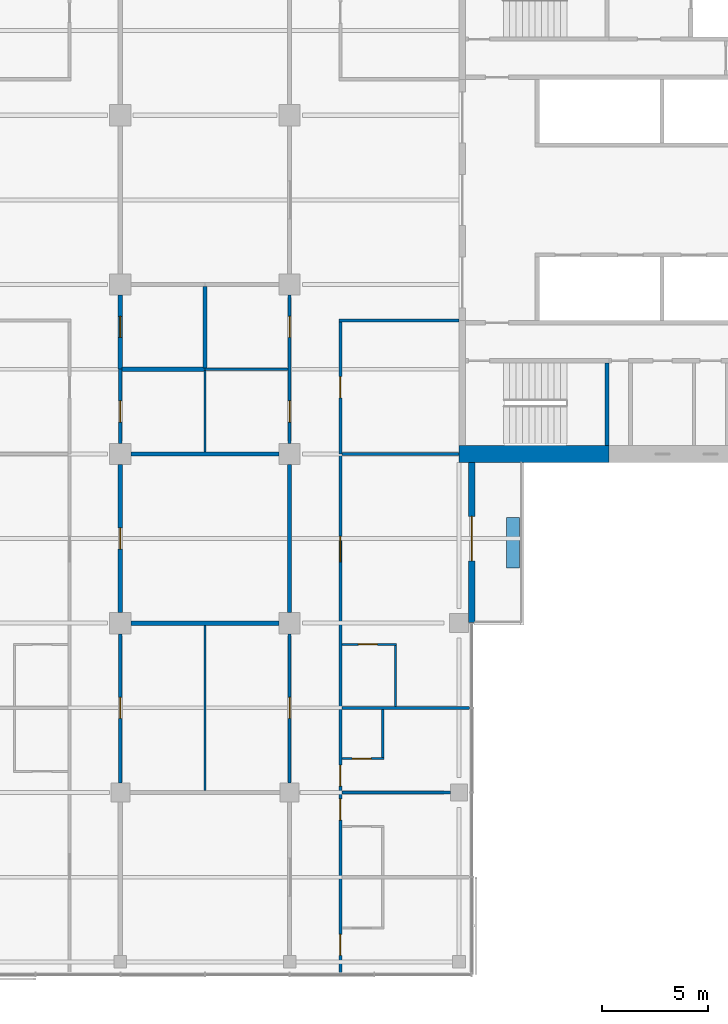
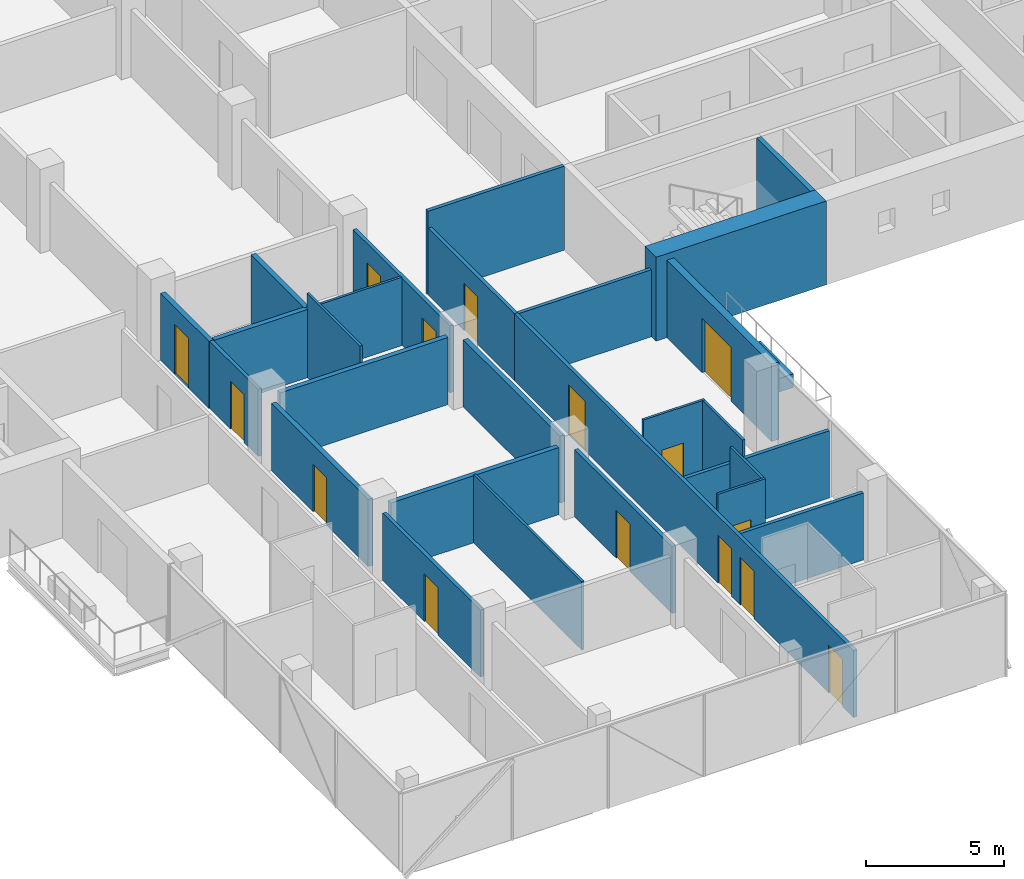
# One storey, part 15 of 25: 28 walls, 15 doors, 15 openings.
"""IFC4 building model written with IfcOpenShell, lengths in metres."""

from ifc_helpers import new_model, si_unit, direction, frame, frame_2d, origin, place, context, subcontext, project, spatial, rectangle, extrude, material, layer, layer_set, constituent, constituent_set, type_object, element, fill, save


model = new_model("IFC4")

# Units and contexts
model_context = context("Model", 3, precision=1e-05, world=origin(), true_north=direction((0.0, 1.0)))
body_context = subcontext(model_context, "Body", "Model", "MODEL_VIEW")
ifc_project = project(units=[si_unit("LENGTHUNIT", "METRE"), si_unit("AREAUNIT", "SQUARE_METRE"), si_unit("VOLUMEUNIT", "CUBIC_METRE"), si_unit("PLANEANGLEUNIT", "RADIAN"), si_unit("MASSUNIT", "GRAM", prefix="KILO")], contexts=[model_context])

# Site, building, storey
site_placement = place(None, origin())
site = spatial("IfcSite", under=ifc_project, at=site_placement, CompositionType="ELEMENT")
building_placement = place(site_placement, origin())
building = spatial("IfcBuilding", under=site, at=building_placement, Name="Crosswind Convention Tower", CompositionType="ELEMENT")
storey_placement = place(building_placement, frame((0.0, 0.0, 97.89990234375)))
storey = spatial("IfcBuildingStorey", under=building, at=storey_placement, Name="L19", CompositionType="ELEMENT", Elevation=97.89990234375)

# Wall
ifc_material_1 = material(Name="Concrete blockwork", Category="masonry")
ifc_layer_1 = layer(ifc_material_1, 0.199951171875)
ifc_layer_set_1 = layer_set([ifc_layer_1], Name="COMPARTMENT WALL 200")
wall_type_1 = type_object("IfcWallType", Name="COMPARTMENT WALL 200", PredefinedType="SOLIDWALL", material=ifc_layer_set_1)
wall_1_placement = place(storey_placement, frame((121.074951171875, 92.0, 0.0), z_axis=(0.0, 0.0, 1.0), x_axis=(1.0, 0.0, 0.0)))
element("IfcWall", 1, at=wall_1_placement, inside=storey, type_object=wall_type_1, Name="Compartment Wall 16", PredefinedType="SOLIDWALL", context=body_context, shape_type="SweptSolid", body=[
    extrude(rectangle(XDim=3.925048828125, YDim=0.199951171875, at=frame_2d((1.96240234375, 0.0))), origin(), (0.0, 0.0, 1.0), 3.013671875),
])

# Wall, opening, door
wall_2_placement = place(storey_placement, frame((121.0, 92.0, 0.0), z_axis=(0.0, 0.0, 1.0), x_axis=(0.0, 1.0, 0.0)))
wall_2 = element("IfcWall", 2, at=wall_2_placement, inside=storey, type_object=wall_type_1, Name="Compartment Wall 70", PredefinedType="SOLIDWALL", context=body_context, shape_type="SweptSolid", body=[
    extrude(rectangle(XDim=3.5, YDim=0.199951171875, at=frame_2d((1.75, 0.0))), origin(), (0.0, 0.0, 1.0), 2.9599609375),
])
opening_1_placement = place(wall_2_placement, frame((1.5, 0.0, 0.0)))
opening_1 = element("IfcOpeningElement", 3, at=opening_1_placement, cuts=wall_2, Name="Opening 19.048", PredefinedType="OPENING", context=body_context, shape_type="SweptSolid", body=[
    extrude(rectangle(XDim=1.0, YDim=2.199951171875, at=frame_2d((0.5, 1.10009765625))), frame((0.0, 0.10986328125, 0.0), z_axis=(0.0, -1.0, 0.0), x_axis=(1.0, 0.0, 0.0)), (0.0, 0.0, 1.0), 0.219970703125),
])
ifc_material_2 = material(Name="Steel fire door", Category="steel")
door_type_1 = type_object("IfcDoorType", Name="PLANT ROOM DOOR 1000X2200", OperationType="NOTDEFINED", PredefinedType="DOOR", material=ifc_material_2)
door_1_placement = place(opening_1_placement, frame((1.0, 0.0, 0.0), z_axis=(0.0, 0.0, 1.0), x_axis=(-1.0, 0.0, 0.0)))
door_1 = element("IfcDoor", 4, at=door_1_placement, inside=storey, type_object=door_type_1, Name="Door 19.048", ObjectType="D6", OperationType="SINGLE_SWING_LEFT", OverallHeight=2.199951171875, OverallWidth=1.0, PredefinedType="DOOR", context=body_context, shape_type="SweptSolid", body=[
    extrude(rectangle(XDim=1.0, YDim=2.199951171875, at=frame_2d((0.5, 1.10009765625))), frame((0.0, 0.02490234375, 0.0), z_axis=(0.0, -1.0, 0.0), x_axis=(1.0, 0.0, 0.0)), (0.0, 0.0, 1.0), 0.050048828125),
])
fill(opening_1, door_1)

# Walls
wall_3_placement = place(storey_placement, frame((125.0, 92.050048828125, 0.0), z_axis=(0.0, 0.0, 1.0), x_axis=(0.0, 1.0, 0.0)))
element("IfcWall", 5, at=wall_3_placement, inside=storey, type_object=wall_type_1, Name="Compartment Wall 78", PredefinedType="SOLIDWALL", context=body_context, shape_type="SweptSolid", body=[
    extrude(rectangle(XDim=3.849853515625, YDim=0.199951171875, at=frame_2d((1.9248046875, 0.0))), origin(), (0.0, 0.0, 1.0), 3.013671875),
])
ifc_material_3 = material(Name="Plasterboard partition", Category="gypsum")
ifc_layer_2 = layer(ifc_material_3, 0.14990234375)
ifc_layer_set_2 = layer_set([ifc_layer_2], Name="CORRIDOR WALL 150")
wall_type_2 = type_object("IfcWallType", Name="CORRIDOR WALL 150", PredefinedType="PARTITIONING", material=ifc_layer_set_2)
wall_4_placement = place(storey_placement, frame((131.324951171875, 94.300048828125, 0.0), z_axis=(0.0, 0.0, 1.0), x_axis=(1.0, 0.0, 0.0)))
element("IfcWall", 6, at=wall_4_placement, inside=storey, type_object=wall_type_2, Name="Corridor Wall 21", PredefinedType="PARTITIONING", context=body_context, shape_type="SweptSolid", body=[
    extrude(rectangle(XDim=5.675048828125, YDim=0.14990234375, at=frame_2d((2.83740234375, 0.0))), origin(), (0.0, 0.0, 1.0), 3.7001953125),
])

# Wall, opening, door
wall_5_placement = place(storey_placement, frame((121.0, 72.449951171875, 0.0), z_axis=(0.0, 0.0, 1.0), x_axis=(0.0, 1.0, 0.0)))
wall_5 = element("IfcWall", 7, at=wall_5_placement, inside=storey, type_object=wall_type_2, Name="Corridor Wall 67", PredefinedType="PARTITIONING", context=body_context, shape_type="SweptSolid", body=[
    extrude(rectangle(XDim=7.050048828125, YDim=0.14990234375, at=frame_2d((3.52490234375, 0.0))), origin(), (0.0, 0.0, 1.0), 2.9599609375),
])
opening_2_placement = place(wall_5_placement, frame((3.050048828125, 0.0, 0.0)))
opening_2 = element("IfcOpeningElement", 8, at=opening_2_placement, cuts=wall_5, Name="Opening 19.044", PredefinedType="OPENING", context=body_context, shape_type="SweptSolid", body=[
    extrude(rectangle(XDim=1.0, YDim=2.10009765625, at=frame_2d((0.5, 1.050048828125))), frame((0.0, 0.0849609375, 0.0), z_axis=(0.0, -1.0, 0.0), x_axis=(1.0, 0.0, 0.0)), (0.0, 0.0, 1.0), 0.169921875),
])
ifc_material_4 = material(Name="Timber fire door", Category="wood")
door_type_2 = type_object("IfcDoorType", Name="SERVICE ROOM DOOR 1000X2100", OperationType="NOTDEFINED", PredefinedType="DOOR", material=ifc_material_4)
door_2_placement = place(opening_2_placement, frame((1.0, 0.0, 0.0), z_axis=(0.0, 0.0, 1.0), x_axis=(-1.0, 0.0, 0.0)))
door_2 = element("IfcDoor", 9, at=door_2_placement, inside=storey, type_object=door_type_2, Name="Door 19.044", ObjectType="D3", OperationType="SINGLE_SWING_LEFT", OverallHeight=2.10009765625, OverallWidth=1.0, PredefinedType="DOOR", context=body_context, shape_type="SweptSolid", body=[
    extrude(rectangle(XDim=1.0, YDim=2.10009765625, at=frame_2d((0.5, 1.050048828125))), frame((0.0, 0.02490234375, 0.0), z_axis=(0.0, -1.0, 0.0), x_axis=(1.0, 0.0, 0.0)), (0.0, 0.0, 1.0), 0.050048828125),
])
fill(opening_2, door_2)

wall_6_placement = place(storey_placement, frame((121.0, 88.5, 0.0), z_axis=(0.0, 0.0, 1.0), x_axis=(0.0, 1.0, 0.0)))
wall_6 = element("IfcWall", 10, at=wall_6_placement, inside=storey, type_object=wall_type_2, Name="Corridor Wall 69", PredefinedType="PARTITIONING", context=body_context, shape_type="SweptSolid", body=[
    extrude(rectangle(XDim=3.5, YDim=0.14990234375, at=frame_2d((1.75, 0.0))), origin(), (0.0, 0.0, 1.0), 2.9599609375),
])
opening_3_placement = place(wall_6_placement, frame((1.0, 0.0, 0.0)))
opening_3 = element("IfcOpeningElement", 11, at=opening_3_placement, cuts=wall_6, Name="Opening 19.047", PredefinedType="OPENING", context=body_context, shape_type="SweptSolid", body=[
    extrude(rectangle(XDim=1.0, YDim=2.10009765625, at=frame_2d((0.5, 1.050048828125))), frame((0.0, 0.0849609375, 0.0), z_axis=(0.0, -1.0, 0.0), x_axis=(1.0, 0.0, 0.0)), (0.0, 0.0, 1.0), 0.169921875),
])
door_3_placement = place(opening_3_placement, frame((1.0, 0.0, 0.0), z_axis=(0.0, 0.0, 1.0), x_axis=(-1.0, 0.0, 0.0)))
door_3 = element("IfcDoor", 12, at=door_3_placement, inside=storey, type_object=door_type_2, Name="Door 19.047", ObjectType="D3", OperationType="SINGLE_SWING_RIGHT", OverallHeight=2.10009765625, OverallWidth=1.0, PredefinedType="DOOR", context=body_context, shape_type="SweptSolid", body=[
    extrude(rectangle(XDim=1.0, YDim=2.10009765625, at=frame_2d((0.5, 1.050048828125))), frame((0.0, 0.02490234375, 0.0), z_axis=(0.0, -1.0, 0.0), x_axis=(1.0, 0.0, 0.0)), (0.0, 0.0, 1.0), 0.050048828125),
])
fill(opening_3, door_3)

wall_7_placement = place(storey_placement, frame((129.0, 72.449951171875, 0.0), z_axis=(0.0, 0.0, 1.0), x_axis=(0.0, 1.0, 0.0)))
wall_7 = element("IfcWall", 13, at=wall_7_placement, inside=storey, type_object=wall_type_2, Name="Corridor Wall 81", PredefinedType="PARTITIONING", context=body_context, shape_type="SweptSolid", body=[
    extrude(rectangle(XDim=7.050048828125, YDim=0.14990234375, at=frame_2d((3.52490234375, 0.0))), origin(), (0.0, 0.0, 1.0), 2.9599609375),
])
opening_4_placement = place(wall_7_placement, frame((3.050048828125, 0.0, 0.0)))
opening_4 = element("IfcOpeningElement", 14, at=opening_4_placement, cuts=wall_7, Name="Opening 19.045", PredefinedType="OPENING", context=body_context, shape_type="SweptSolid", body=[
    extrude(rectangle(XDim=1.0, YDim=2.10009765625, at=frame_2d((0.5, 1.050048828125))), frame((0.0, 0.0849609375, 0.0), z_axis=(0.0, -1.0, 0.0), x_axis=(1.0, 0.0, 0.0)), (0.0, 0.0, 1.0), 0.169921875),
])
door_4_placement = place(opening_4_placement, origin())
door_4 = element("IfcDoor", 15, at=door_4_placement, inside=storey, type_object=door_type_2, Name="Door 19.045", ObjectType="D3", OperationType="SINGLE_SWING_RIGHT", OverallHeight=2.10009765625, OverallWidth=1.0, PredefinedType="DOOR", context=body_context, shape_type="SweptSolid", body=[
    extrude(rectangle(XDim=1.0, YDim=2.10009765625, at=frame_2d((0.5, 1.050048828125))), frame((0.0, 0.02490234375, 0.0), z_axis=(0.0, -1.0, 0.0), x_axis=(1.0, 0.0, 0.0)), (0.0, 0.0, 1.0), 0.050048828125),
])
fill(opening_4, door_4)

# Wall, openings, doors
wall_8_placement = place(storey_placement, frame((129.0, 88.5, 0.0), z_axis=(0.0, 0.0, 1.0), x_axis=(0.0, 1.0, 0.0)))
wall_8 = element("IfcWall", 16, at=wall_8_placement, inside=storey, type_object=wall_type_2, Name="Corridor Wall 83", PredefinedType="PARTITIONING", context=body_context, shape_type="SweptSolid", body=[
    extrude(rectangle(XDim=7.0, YDim=0.14990234375, at=frame_2d((3.5, 0.0))), origin(), (0.0, 0.0, 1.0), 2.9599609375),
])
opening_5_placement = place(wall_8_placement, frame((1.0, 0.0, 0.0)))
opening_5 = element("IfcOpeningElement", 17, at=opening_5_placement, cuts=wall_8, Name="Opening 19.049", PredefinedType="OPENING", context=body_context, shape_type="SweptSolid", body=[
    extrude(rectangle(XDim=1.0, YDim=2.10009765625, at=frame_2d((0.5, 1.050048828125))), frame((0.0, 0.0849609375, 0.0), z_axis=(0.0, -1.0, 0.0), x_axis=(1.0, 0.0, 0.0)), (0.0, 0.0, 1.0), 0.169921875),
])
opening_6_placement = place(wall_8_placement, frame((5.0, 0.0, 0.0)))
opening_6 = element("IfcOpeningElement", 18, at=opening_6_placement, cuts=wall_8, Name="Opening 19.050", PredefinedType="OPENING", context=body_context, shape_type="SweptSolid", body=[
    extrude(rectangle(XDim=1.0, YDim=2.10009765625, at=frame_2d((0.5, 1.050048828125))), frame((0.0, 0.0849609375, 0.0), z_axis=(0.0, -1.0, 0.0), x_axis=(1.0, 0.0, 0.0)), (0.0, 0.0, 1.0), 0.169921875),
])
door_5_placement = place(opening_5_placement, origin())
door_5 = element("IfcDoor", 19, at=door_5_placement, inside=storey, type_object=door_type_2, Name="Door 19.049", ObjectType="D3", OperationType="SINGLE_SWING_LEFT", OverallHeight=2.10009765625, OverallWidth=1.0, PredefinedType="DOOR", context=body_context, shape_type="SweptSolid", body=[
    extrude(rectangle(XDim=1.0, YDim=2.10009765625, at=frame_2d((0.5, 1.050048828125))), frame((0.0, 0.02490234375, 0.0), z_axis=(0.0, -1.0, 0.0), x_axis=(1.0, 0.0, 0.0)), (0.0, 0.0, 1.0), 0.050048828125),
])
fill(opening_5, door_5)
door_6_placement = place(opening_6_placement, origin())
door_6 = element("IfcDoor", 20, at=door_6_placement, inside=storey, type_object=door_type_2, Name="Door 19.050", ObjectType="D3", OperationType="SINGLE_SWING_RIGHT", OverallHeight=2.10009765625, OverallWidth=1.0, PredefinedType="DOOR", context=body_context, shape_type="SweptSolid", body=[
    extrude(rectangle(XDim=1.0, YDim=2.10009765625, at=frame_2d((0.5, 1.050048828125))), frame((0.0, 0.02490234375, 0.0), z_axis=(0.0, -1.0, 0.0), x_axis=(1.0, 0.0, 0.0)), (0.0, 0.0, 1.0), 0.050048828125),
])
fill(opening_6, door_6)

# Wall, opening, door
wall_9_placement = place(storey_placement, frame((131.39990234375, 88.0, 0.0), z_axis=(0.0, 0.0, 1.0), x_axis=(0.0, 1.0, 0.0)))
wall_9 = element("IfcWall", 21, at=wall_9_placement, inside=storey, type_object=wall_type_2, Name="Corridor Wall 90", PredefinedType="PARTITIONING", context=body_context, shape_type="SweptSolid", body=[
    extrude(rectangle(XDim=6.22509765625, YDim=0.14990234375, at=frame_2d((3.112548828125, 0.0))), origin(), (0.0, 0.0, 1.0), 2.95654296875),
])
opening_7_placement = place(wall_9_placement, frame((2.64990234375, 0.0, 0.0)))
opening_7 = element("IfcOpeningElement", 22, at=opening_7_placement, cuts=wall_9, Name="Opening 19.002", PredefinedType="OPENING", context=body_context, shape_type="SweptSolid", body=[
    extrude(rectangle(XDim=1.0, YDim=2.10009765625, at=frame_2d((0.5, 1.050048828125))), frame((0.0, 0.0849609375, 0.0), z_axis=(0.0, -1.0, 0.0), x_axis=(1.0, 0.0, 0.0)), (0.0, 0.0, 1.0), 0.169921875),
])
door_7_placement = place(opening_7_placement, frame((1.0, 0.0, 0.0), z_axis=(0.0, 0.0, 1.0), x_axis=(-1.0, 0.0, 0.0)))
door_7 = element("IfcDoor", 23, at=door_7_placement, inside=storey, type_object=door_type_2, Name="Door 19.002", ObjectType="D3", OperationType="SINGLE_SWING_LEFT", OverallHeight=2.10009765625, OverallWidth=1.0, PredefinedType="DOOR", context=body_context, shape_type="SweptSolid", body=[
    extrude(rectangle(XDim=1.0, YDim=2.10009765625, at=frame_2d((0.5, 1.050048828125))), frame((0.0, 0.02490234375, 0.0), z_axis=(0.0, -1.0, 0.0), x_axis=(1.0, 0.0, 0.0)), (0.0, 0.0, 1.0), 0.050048828125),
])
fill(opening_7, door_7)

# Walls
ifc_material_5 = material(Name="Concrete C50/60", Category="concrete")
ifc_layer_3 = layer(ifc_material_5, 0.199951171875)
ifc_layer_set_3 = layer_set([ifc_layer_3], Name="Concrete C50/60")
wall_type_3 = type_object("IfcWallType", Name="Concrete shaft and stair wall 200", PredefinedType="SHEAR", material=ifc_layer_set_3)
wall_10_placement = place(storey_placement, frame((144.0, 88.39990234375, 0.0), z_axis=(0.0, 0.0, 1.0), x_axis=(0.0, 1.0, 0.0)))
element("IfcWall", 24, at=wall_10_placement, inside=storey, type_object=wall_type_3, Name="Wall MSE E L19", PredefinedType="SHEAR", context=body_context, shape_type="SweptSolid", body=[
    extrude(rectangle(XDim=3.900146484375, YDim=0.199951171875, at=frame_2d((1.9501953125, 0.0))), origin(), (0.0, 0.0, 1.0), 3.7001953125),
])
ifc_material_6 = material(Name="Acoustic plasterboard partition", Category="gypsum")
ifc_layer_4 = layer(ifc_material_6, 0.14990234375)
ifc_layer_set_4 = layer_set([ifc_layer_4], Name="GUEST ROOM WALL 150")
wall_type_4 = type_object("IfcWallType", Name="GUEST ROOM WALL 150", PredefinedType="PARTITIONING", material=ifc_layer_set_4)
wall_11_placement = place(storey_placement, frame((131.47509765625, 72.0, 0.0), z_axis=(0.0, 0.0, 1.0), x_axis=(1.0, 0.0, 0.0)))
element("IfcWall", 25, at=wall_11_placement, inside=storey, type_object=wall_type_4, Name="Guest Room Wall 5", PredefinedType="PARTITIONING", context=body_context, shape_type="SweptSolid", body=[
    extrude(rectangle(XDim=5.125, YDim=0.14990234375, at=frame_2d((2.5625, 0.0))), origin(), (0.0, 0.0, 1.0), 2.9599609375),
])
wall_12_placement = place(storey_placement, frame((131.47509765625, 76.0, 0.0), z_axis=(0.0, 0.0, 1.0), x_axis=(1.0, 0.0, 0.0)))
element("IfcWall", 26, at=wall_12_placement, inside=storey, type_object=wall_type_4, Name="Guest Room Wall 9", PredefinedType="PARTITIONING", context=body_context, shape_type="SweptSolid", body=[
    extrude(rectangle(XDim=6.02490234375, YDim=0.14990234375, at=frame_2d((3.012451171875, 0.0))), origin(), (0.0, 0.0, 1.0), 2.962890625),
])
wall_13_placement = place(storey_placement, frame((131.47509765625, 88.0, 0.0), z_axis=(0.0, 0.0, 1.0), x_axis=(1.0, 0.0, 0.0)))
element("IfcWall", 27, at=wall_13_placement, inside=storey, type_object=wall_type_4, Name="Guest Room Wall 15", PredefinedType="PARTITIONING", context=body_context, shape_type="SweptSolid", body=[
    extrude(rectangle(XDim=5.52490234375, YDim=0.14990234375, at=frame_2d((2.762451171875, 0.0))), origin(), (0.0, 0.0, 1.0), 2.95654296875),
])

# Wall, openings, doors
wall_14_placement = place(storey_placement, frame((131.39990234375, 63.5, 0.0), z_axis=(0.0, 0.0, 1.0), x_axis=(0.0, 1.0, 0.0)))
wall_14 = element("IfcWall", 28, at=wall_14_placement, inside=storey, type_object=wall_type_4, Name="Guest Room Wall 89", PredefinedType="PARTITIONING", context=body_context, shape_type="SweptSolid", body=[
    extrude(rectangle(XDim=24.5, YDim=0.14990234375, at=frame_2d((12.25, 0.0))), origin(), (0.0, 0.0, 1.0), 2.95654296875),
])
opening_8_placement = place(wall_14_placement, frame((19.39990234375, 0.0, 0.0)))
opening_8 = element("IfcOpeningElement", 29, at=opening_8_placement, cuts=wall_14, Name="Opening 19.015", PredefinedType="OPENING", context=body_context, shape_type="SweptSolid", body=[
    extrude(rectangle(XDim=1.199951171875, YDim=2.199951171875, at=frame_2d((0.60009765625, 1.10009765625))), frame((0.0, 0.0849609375, 0.0), z_axis=(0.0, -1.0, 0.0), x_axis=(1.0, 0.0, 0.0)), (0.0, 0.0, 1.0), 0.169921875),
])
opening_9_placement = place(wall_14_placement, frame((8.800048828125, 0.0, 0.0)))
opening_9 = element("IfcOpeningElement", 30, at=opening_9_placement, cuts=wall_14, Name="Opening 19.017", PredefinedType="OPENING", context=body_context, shape_type="SweptSolid", body=[
    extrude(rectangle(XDim=1.0, YDim=2.10009765625, at=frame_2d((0.5, 1.050048828125))), frame((0.0, 0.0849609375, 0.0), z_axis=(0.0, -1.0, 0.0), x_axis=(1.0, 0.0, 0.0)), (0.0, 0.0, 1.0), 0.169921875),
])
opening_10_placement = place(wall_14_placement, frame((7.199951171875, 0.0, 0.0)))
opening_10 = element("IfcOpeningElement", 31, at=opening_10_placement, cuts=wall_14, Name="Opening 19.019", PredefinedType="OPENING", context=body_context, shape_type="SweptSolid", body=[
    extrude(rectangle(XDim=1.0, YDim=2.10009765625, at=frame_2d((0.5, 1.050048828125))), frame((0.0, 0.0849609375, 0.0), z_axis=(0.0, -1.0, 0.0), x_axis=(1.0, 0.0, 0.0)), (0.0, 0.0, 1.0), 0.169921875),
])
opening_11_placement = place(wall_14_placement, frame((0.800048828125, 0.0, 0.0)))
opening_11 = element("IfcOpeningElement", 32, at=opening_11_placement, cuts=wall_14, Name="Opening 19.021", PredefinedType="OPENING", context=body_context, shape_type="SweptSolid", body=[
    extrude(rectangle(XDim=1.0, YDim=2.10009765625, at=frame_2d((0.5, 1.050048828125))), frame((0.0, 0.0849609375, 0.0), z_axis=(0.0, -1.0, 0.0), x_axis=(1.0, 0.0, 0.0)), (0.0, 0.0, 1.0), 0.169921875),
])
door_type_3 = type_object("IfcDoorType", Name="GUEST ROOM DOOR 1000X2100", OperationType="NOTDEFINED", PredefinedType="DOOR", material=ifc_material_4)
door_8_placement = place(opening_9_placement, frame((1.0, 0.0, 0.0), z_axis=(0.0, 0.0, 1.0), x_axis=(-1.0, 0.0, 0.0)))
door_8 = element("IfcDoor", 33, at=door_8_placement, inside=storey, type_object=door_type_3, Name="Door 19.017", ObjectType="D1", OperationType="SINGLE_SWING_LEFT", OverallHeight=2.10009765625, OverallWidth=1.0, PredefinedType="DOOR", context=body_context, shape_type="SweptSolid", body=[
    extrude(rectangle(XDim=1.0, YDim=2.10009765625, at=frame_2d((0.5, 1.050048828125))), frame((0.0, 0.02490234375, 0.0), z_axis=(0.0, -1.0, 0.0), x_axis=(1.0, 0.0, 0.0)), (0.0, 0.0, 1.0), 0.050048828125),
])
fill(opening_9, door_8)
door_9_placement = place(opening_10_placement, frame((1.0, 0.0, 0.0), z_axis=(0.0, 0.0, 1.0), x_axis=(-1.0, 0.0, 0.0)))
door_9 = element("IfcDoor", 34, at=door_9_placement, inside=storey, type_object=door_type_3, Name="Door 19.019", ObjectType="D1", OperationType="SINGLE_SWING_LEFT", OverallHeight=2.10009765625, OverallWidth=1.0, PredefinedType="DOOR", context=body_context, shape_type="SweptSolid", body=[
    extrude(rectangle(XDim=1.0, YDim=2.10009765625, at=frame_2d((0.5, 1.050048828125))), frame((0.0, 0.02490234375, 0.0), z_axis=(0.0, -1.0, 0.0), x_axis=(1.0, 0.0, 0.0)), (0.0, 0.0, 1.0), 0.050048828125),
])
fill(opening_10, door_9)
door_10_placement = place(opening_11_placement, frame((1.0, 0.0, 0.0), z_axis=(0.0, 0.0, 1.0), x_axis=(-1.0, 0.0, 0.0)))
door_10 = element("IfcDoor", 35, at=door_10_placement, inside=storey, type_object=door_type_3, Name="Door 19.021", ObjectType="D1", OperationType="SINGLE_SWING_LEFT", OverallHeight=2.10009765625, OverallWidth=1.0, PredefinedType="DOOR", context=body_context, shape_type="SweptSolid", body=[
    extrude(rectangle(XDim=1.0, YDim=2.10009765625, at=frame_2d((0.5, 1.050048828125))), frame((0.0, 0.02490234375, 0.0), z_axis=(0.0, -1.0, 0.0), x_axis=(1.0, 0.0, 0.0)), (0.0, 0.0, 1.0), 0.050048828125),
])
fill(opening_11, door_10)
door_type_4 = type_object("IfcDoorType", Name="SUITE DOOR 1200X2200", OperationType="DOUBLE_DOOR_SINGLE_SWING", PredefinedType="DOOR", material=ifc_material_4)
door_11_placement = place(opening_8_placement, frame((1.199951171875, 0.0, 0.0), z_axis=(0.0, 0.0, 1.0), x_axis=(-1.0, 0.0, 0.0)))
door_11 = element("IfcDoor", 36, at=door_11_placement, inside=storey, type_object=door_type_4, Name="Door 19.015", ObjectType="D14", OperationType="DOUBLE_DOOR_SINGLE_SWING", OverallHeight=2.199951171875, OverallWidth=1.199951171875, PredefinedType="DOOR", context=body_context, shape_type="SweptSolid", body=[
    extrude(rectangle(XDim=1.199951171875, YDim=2.199951171875, at=frame_2d((0.60009765625, 1.10009765625))), frame((0.0, 0.02490234375, 0.0), z_axis=(0.0, -1.0, 0.0), x_axis=(1.0, 0.0, 0.0)), (0.0, 0.0, 1.0), 0.050048828125),
])
fill(opening_8, door_11)

# Walls
ifc_material_7 = material(Name="Double plasterboard partition", Category="gypsum")
ifc_layer_5 = layer(ifc_material_7, 0.199951171875)
ifc_layer_set_5 = layer_set([ifc_layer_5], Name="HALL WALL 200")
wall_type_5 = type_object("IfcWallType", Name="HALL WALL 200", PredefinedType="PARTITIONING", material=ifc_layer_set_5)
for number, where, z_axis, x_axis, name in (
    (37, (121.5, 80.0, 0.0), (0.0, 0.0, 1.0), (1.0, 0.0, 0.0), "Hall Wall 12"),
    (38, (121.5, 88.0, 0.0), (0.0, 0.0, 1.0), (1.0, 0.0, 0.0), "Hall Wall 14"),
):
    element("IfcWall", number, at=place(storey_placement, frame(where, z_axis=z_axis, x_axis=x_axis)), inside=storey, type_object=wall_type_5, Name=name, PredefinedType="PARTITIONING", context=body_context, shape_type="SweptSolid", body=[
        extrude(rectangle(XDim=7.0, YDim=0.199951171875, at=frame_2d((3.5, 0.0))), origin(), (0.0, 0.0, 1.0), 2.9599609375),
    ])

# Wall, opening, door
wall_15_placement = place(storey_placement, frame((121.0, 80.5, 0.0), z_axis=(0.0, 0.0, 1.0), x_axis=(0.0, 1.0, 0.0)))
wall_15 = element("IfcWall", 39, at=wall_15_placement, inside=storey, type_object=wall_type_5, Name="Hall Wall 68", PredefinedType="PARTITIONING", context=body_context, shape_type="SweptSolid", body=[
    extrude(rectangle(XDim=7.0, YDim=0.199951171875, at=frame_2d((3.5, 0.0))), origin(), (0.0, 0.0, 1.0), 2.9599609375),
])
opening_12_placement = place(wall_15_placement, frame((3.0, 0.0, 0.0)))
opening_12 = element("IfcOpeningElement", 40, at=opening_12_placement, cuts=wall_15, Name="Opening 19.046", PredefinedType="OPENING", context=body_context, shape_type="SweptSolid", body=[
    extrude(rectangle(XDim=1.0, YDim=2.10009765625, at=frame_2d((0.5, 1.050048828125))), frame((0.0, 0.10986328125, 0.0), z_axis=(0.0, -1.0, 0.0), x_axis=(1.0, 0.0, 0.0)), (0.0, 0.0, 1.0), 0.219970703125),
])
door_type_5 = type_object("IfcDoorType", Name="MEETING ROOM DOOR 1000X2100", OperationType="NOTDEFINED", PredefinedType="DOOR", material=ifc_material_4)
door_12_placement = place(opening_12_placement, origin())
door_12 = element("IfcDoor", 41, at=door_12_placement, inside=storey, type_object=door_type_5, Name="Door 19.046", ObjectType="D13", OperationType="SINGLE_SWING_RIGHT", OverallHeight=2.10009765625, OverallWidth=1.0, PredefinedType="DOOR", context=body_context, shape_type="SweptSolid", body=[
    extrude(rectangle(XDim=1.0, YDim=2.10009765625, at=frame_2d((0.5, 1.050048828125))), frame((0.0, 0.02490234375, 0.0), z_axis=(0.0, -1.0, 0.0), x_axis=(1.0, 0.0, 0.0)), (0.0, 0.0, 1.0), 0.050048828125),
])
fill(opening_12, door_12)

# Walls
wall_16_placement = place(storey_placement, frame((129.0, 80.5, 0.0), z_axis=(0.0, 0.0, 1.0), x_axis=(0.0, 1.0, 0.0)))
element("IfcWall", 42, at=wall_16_placement, inside=storey, type_object=wall_type_5, Name="Hall Wall 82", PredefinedType="PARTITIONING", context=body_context, shape_type="SweptSolid", body=[
    extrude(rectangle(XDim=7.0, YDim=0.199951171875, at=frame_2d((3.5, 0.0))), origin(), (0.0, 0.0, 1.0), 2.9599609375),
])
ifc_layer_6 = layer(ifc_material_3, 0.10009765625)
ifc_layer_set_6 = layer_set([ifc_layer_6], Name="PARTITION 100")
wall_type_6 = type_object("IfcWallType", Name="PARTITION 100", PredefinedType="PARTITIONING", material=ifc_layer_set_6)
wall_17_placement = place(storey_placement, frame((125.0, 92.0, 0.0), z_axis=(0.0, 0.0, 1.0), x_axis=(1.0, 0.0, 0.0)))
element("IfcWall", 43, at=wall_17_placement, inside=storey, type_object=wall_type_6, Name="Partition 17", PredefinedType="PARTITIONING", context=body_context, shape_type="SweptSolid", body=[
    extrude(rectangle(XDim=3.925048828125, YDim=0.10009765625, at=frame_2d((1.96240234375, 0.0))), origin(), (0.0, 0.0, 1.0), 3.013671875),
])
wall_18_placement = place(storey_placement, frame((125.0, 72.10009765625, 0.0), z_axis=(0.0, 0.0, 1.0), x_axis=(0.0, 1.0, 0.0)))
element("IfcWall", 44, at=wall_18_placement, inside=storey, type_object=wall_type_6, Name="Partition 76", PredefinedType="PARTITIONING", context=body_context, shape_type="SweptSolid", body=[
    extrude(rectangle(XDim=7.7998046875, YDim=0.10009765625, at=frame_2d((3.89990234375, 0.0))), origin(), (0.0, 0.0, 1.0), 3.013671875),
])
wall_19_placement = place(storey_placement, frame((125.0, 88.10009765625, 0.0), z_axis=(0.0, 0.0, 1.0), x_axis=(0.0, 1.0, 0.0)))
element("IfcWall", 45, at=wall_19_placement, inside=storey, type_object=wall_type_6, Name="Partition 77", PredefinedType="PARTITIONING", context=body_context, shape_type="SweptSolid", body=[
    extrude(rectangle(XDim=3.849853515625, YDim=0.10009765625, at=frame_2d((1.9248046875, 0.0))), origin(), (0.0, 0.0, 1.0), 3.7001953125),
])
ifc_material_8 = material(Name="Concrete C30/37", Category="concrete")
ifc_layer_7 = layer(ifc_material_8, 0.60009765625)
ifc_layer_set_7 = layer_set([ifc_layer_7], Name="Concrete C30/37")
wall_type_7 = type_object("IfcWallType", Name="PLANTER BOX WALL 600", PredefinedType="SOLIDWALL", material=ifc_layer_set_7)
wall_20_placement = place(storey_placement, frame((139.550048828125, 82.60009765625, 0.0), z_axis=(0.0, 0.0, 1.0), x_axis=(0.0, 1.0, 0.0)))
element("IfcWall", 46, at=wall_20_placement, inside=storey, type_object=wall_type_7, Name="PLANTER L19 S-E.1-3", PredefinedType="SOLIDWALL", context=body_context, shape_type="SweptSolid", body=[
    extrude(rectangle(XDim=2.39990234375, YDim=0.60009765625, at=frame_2d((1.199951171875, 0.0))), origin(), (0.0, 0.0, 1.0), 0.60009765625),
])

# Wall, opening, door
ifc_material_9 = material(Name="Terracotta rainscreen", Category="ceramic")
ifc_layer_8 = layer(ifc_material_9, 0.02001953125)
ifc_material_10 = material(Name="Mineral wool insulation", Category="insulation")
ifc_layer_9 = layer(ifc_material_10, 0.10009765625)
ifc_layer_10 = layer(ifc_material_1, 0.179931640625)
ifc_layer_set_8 = layer_set([ifc_layer_8, ifc_layer_9, ifc_layer_10], Name="TERRACOTTA INFILL WALL 300")
wall_type_8 = type_object("IfcWallType", Name="TERRACOTTA INFILL WALL 300", PredefinedType="SOLIDWALL", material=ifc_layer_set_8)
wall_21_placement = place(storey_placement, frame((137.60009765625, 80.032470703125, 0.0), z_axis=(0.0, 0.0, 1.0), x_axis=(0.0, 1.0, 0.0)))
wall_21 = element("IfcWall", 47, at=wall_21_placement, inside=storey, type_object=wall_type_8, Name="Notch front wall L19 S-E.1-3", PredefinedType="SOLIDWALL", context=body_context, shape_type="SweptSolid", body=[
    extrude(rectangle(XDim=7.567626953125, YDim=0.300048828125, at=frame_2d((3.78369140625, 0.0))), origin(), (0.0, 0.0, 1.0), 3.420166015625),
])
opening_13_placement = place(wall_21_placement, frame((2.91748046875, 0.0, 0.0)))
opening_13 = element("IfcOpeningElement", 48, at=opening_13_placement, cuts=wall_21, Name="Opening D141", PredefinedType="OPENING", context=body_context, shape_type="SweptSolid", body=[
    extrude(rectangle(XDim=2.10009765625, YDim=2.39990234375, at=frame_2d((1.050048828125, 1.199951171875))), frame((0.0, 0.159912109375, 0.0), z_axis=(0.0, -1.0, 0.0), x_axis=(1.0, 0.0, 0.0)), (0.0, 0.0, 1.0), 0.320068359375),
])
ifc_material_11 = material(Name="Aluminium glazed door", Category="aluminium")
door_type_6 = type_object("IfcDoorType", Name="BALCONY SLIDING DOOR 2100X2400", OperationType="SLIDING_TO_LEFT", PredefinedType="DOOR", material=ifc_material_11)
door_13_placement = place(opening_13_placement, frame((2.10009765625, 0.0, 0.0), z_axis=(0.0, 0.0, 1.0), x_axis=(-1.0, 0.0, 0.0)))
door_13 = element("IfcDoor", 49, at=door_13_placement, inside=storey, type_object=door_type_6, Name="D141 balcony door L19 S-E.1-3", ObjectType="D141", OperationType="SLIDING_TO_LEFT", OverallHeight=2.39990234375, OverallWidth=2.10009765625, PredefinedType="DOOR", context=body_context, shape_type="SweptSolid", body=[
    extrude(rectangle(XDim=2.10009765625, YDim=2.39990234375, at=frame_2d((1.050048828125, 1.199951171875))), frame((0.0, 0.02490234375, 0.0), z_axis=(0.0, -1.0, 0.0), x_axis=(1.0, 0.0, 0.0)), (0.0, 0.0, 1.0), 0.050048828125),
])
fill(opening_13, door_13)

# Wall
ifc_material_12 = material(Name="Concrete C60/75", Category="concrete")
ifc_constituent_1 = constituent(ifc_material_12, Name="Structure")
ifc_constituent_2 = constituent(ifc_material_9, Name="Facing")
ifc_constituent_set = constituent_set(constituents=[ifc_constituent_1, ifc_constituent_2], Name="Concrete C60/75, Terracotta rainscreen")
wall_type_9 = type_object("IfcWallType", Name="Terracotta rainscreen on concrete core wall 800", PredefinedType="SHEAR", material=ifc_constituent_set)
wall_22_placement = place(storey_placement, frame((137.0, 88.0, 0.0), z_axis=(0.0, 0.0, 1.0), x_axis=(1.0, 0.0, 0.0)))
element("IfcWall", 50, at=wall_22_placement, inside=storey, type_object=wall_type_9, Name="Wall S1 E L19", PredefinedType="SHEAR", context=body_context, shape_type="SweptSolid", body=[
    extrude(rectangle(XDim=7.10009765625, YDim=0.800048828125, at=frame_2d((3.550048828125, 0.0))), origin(), (0.0, 0.0, 1.0), 3.7001953125),
])

# Wall, opening, door
ifc_material_13 = material(Name="Water-resistant plasterboard partition", Category="gypsum")
ifc_layer_11 = layer(ifc_material_13, 0.10009765625)
ifc_layer_set_9 = layer_set([ifc_layer_11], Name="WET ROOM PARTITION 100")
wall_type_10 = type_object("IfcWallType", Name="WET ROOM PARTITION 100", PredefinedType="PLUMBINGWALL", material=ifc_layer_set_9)
wall_23_placement = place(storey_placement, frame((131.47509765625, 73.60009765625, 0.0), z_axis=(0.0, 0.0, 1.0), x_axis=(1.0, 0.0, 0.0)))
wall_23 = element("IfcWall", 51, at=wall_23_placement, inside=storey, type_object=wall_type_10, Name="Wet Room Partition 7", PredefinedType="PLUMBINGWALL", context=body_context, shape_type="SweptSolid", body=[
    extrude(rectangle(XDim=1.974853515625, YDim=0.10009765625, at=frame_2d((0.9873046875, 0.0))), origin(), (0.0, 0.0, 1.0), 3.7001953125),
])
opening_14_placement = place(wall_23_placement, frame((0.47509765625, 0.0, 0.0)))
opening_14 = element("IfcOpeningElement", 52, at=opening_14_placement, cuts=wall_23, Name="Opening 19.018", PredefinedType="OPENING", context=body_context, shape_type="SweptSolid", body=[
    extrude(rectangle(XDim=0.89990234375, YDim=2.10009765625, at=frame_2d((0.449951171875, 1.050048828125))), frame((0.0, 0.06005859375, 0.0), z_axis=(0.0, -1.0, 0.0), x_axis=(1.0, 0.0, 0.0)), (0.0, 0.0, 1.0), 0.1201171875),
])
ifc_material_14 = material(Name="Timber door", Category="wood")
door_type_7 = type_object("IfcDoorType", Name="EN-SUITE DOOR 900X2100", OperationType="NOTDEFINED", PredefinedType="DOOR", material=ifc_material_14)
door_14_placement = place(opening_14_placement, origin())
door_14 = element("IfcDoor", 53, at=door_14_placement, inside=storey, type_object=door_type_7, Name="Door 19.018", ObjectType="D2", OperationType="SINGLE_SWING_RIGHT", OverallHeight=2.10009765625, OverallWidth=0.89990234375, PredefinedType="DOOR", context=body_context, shape_type="SweptSolid", body=[
    extrude(rectangle(XDim=0.89990234375, YDim=2.10009765625, at=frame_2d((0.449951171875, 1.050048828125))), frame((0.0, 0.02490234375, 0.0), z_axis=(0.0, -1.0, 0.0), x_axis=(1.0, 0.0, 0.0)), (0.0, 0.0, 1.0), 0.050048828125),
])
fill(opening_14, door_14)

wall_24_placement = place(storey_placement, frame((131.47509765625, 79.0, 0.0), z_axis=(0.0, 0.0, 1.0), x_axis=(1.0, 0.0, 0.0)))
wall_24 = element("IfcWall", 54, at=wall_24_placement, inside=storey, type_object=wall_type_10, Name="Wet Room Partition 11", PredefinedType="PLUMBINGWALL", context=body_context, shape_type="SweptSolid", body=[
    extrude(rectangle(XDim=2.574951171875, YDim=0.10009765625, at=frame_2d((1.28759765625, 0.0))), origin(), (0.0, 0.0, 1.0), 3.7001953125),
])
opening_15_placement = place(wall_24_placement, frame((0.77490234375, 0.0, 0.0)))
opening_15 = element("IfcOpeningElement", 55, at=opening_15_placement, cuts=wall_24, Name="Opening 19.016", PredefinedType="OPENING", context=body_context, shape_type="SweptSolid", body=[
    extrude(rectangle(XDim=0.89990234375, YDim=2.10009765625, at=frame_2d((0.449951171875, 1.050048828125))), frame((0.0, 0.06005859375, 0.0), z_axis=(0.0, -1.0, 0.0), x_axis=(1.0, 0.0, 0.0)), (0.0, 0.0, 1.0), 0.1201171875),
])
door_15_placement = place(opening_15_placement, frame((0.89990234375, 0.0, 0.0), z_axis=(0.0, 0.0, 1.0), x_axis=(-1.0, 0.0, 0.0)))
door_15 = element("IfcDoor", 56, at=door_15_placement, inside=storey, type_object=door_type_7, Name="Door 19.016", ObjectType="D2", OperationType="SINGLE_SWING_LEFT", OverallHeight=2.10009765625, OverallWidth=0.89990234375, PredefinedType="DOOR", context=body_context, shape_type="SweptSolid", body=[
    extrude(rectangle(XDim=0.89990234375, YDim=2.10009765625, at=frame_2d((0.449951171875, 1.050048828125))), frame((0.0, 0.02490234375, 0.0), z_axis=(0.0, -1.0, 0.0), x_axis=(1.0, 0.0, 0.0)), (0.0, 0.0, 1.0), 0.050048828125),
])
fill(opening_15, door_15)

# Walls
wall_25_placement = place(storey_placement, frame((133.39990234375, 73.64990234375, 0.0), z_axis=(0.0, 0.0, 1.0), x_axis=(0.0, 1.0, 0.0)))
element("IfcWall", 57, at=wall_25_placement, inside=storey, type_object=wall_type_10, Name="Wet Room Partition 95", PredefinedType="PLUMBINGWALL", context=body_context, shape_type="SweptSolid", body=[
    extrude(rectangle(XDim=2.275146484375, YDim=0.10009765625, at=frame_2d((1.1376953125, 0.0))), origin(), (0.0, 0.0, 1.0), 3.7001953125),
])
wall_26_placement = place(storey_placement, frame((134.0, 76.074951171875, 0.0), z_axis=(0.0, 0.0, 1.0), x_axis=(0.0, 1.0, 0.0)))
element("IfcWall", 58, at=wall_26_placement, inside=storey, type_object=wall_type_10, Name="Wet Room Partition 96", PredefinedType="PLUMBINGWALL", context=body_context, shape_type="SweptSolid", body=[
    extrude(rectangle(XDim=2.875, YDim=0.10009765625, at=frame_2d((1.4375, 0.0))), origin(), (0.0, 0.0, 1.0), 3.7001953125),
])

save(model, "model.ifc")
